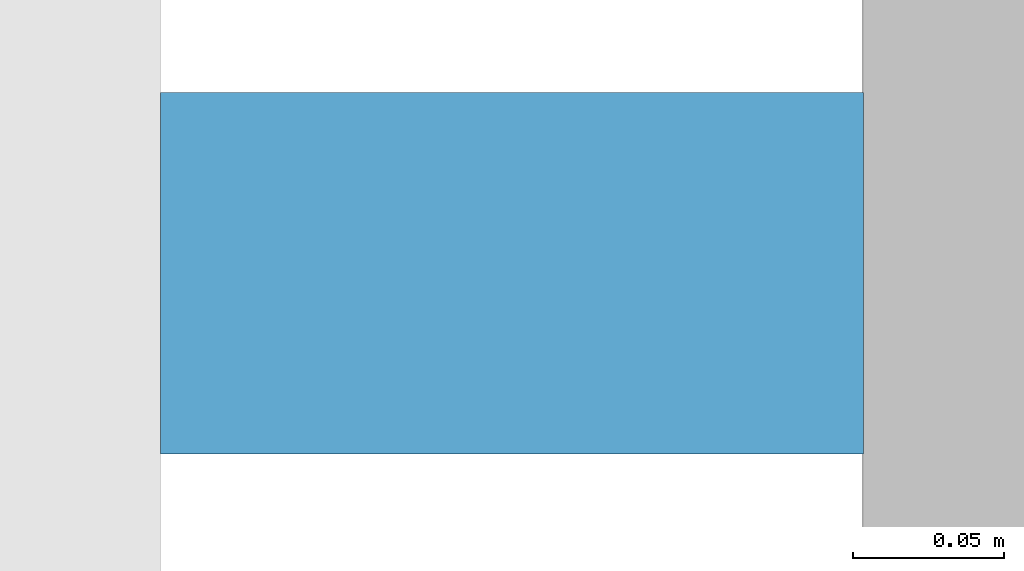
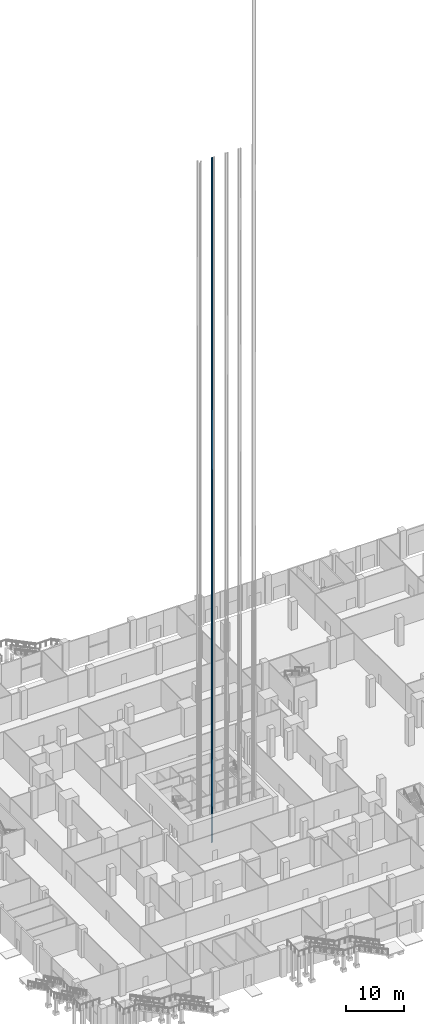
# One storey, part 43 of 68: 1 discrete accessory.
"""IFC4 building model written with IfcOpenShell, lengths in metres."""

from ifc_helpers import new_model, si_unit, direction, frame, origin, origin_2d, place, context, subcontext, project, spatial, rectangle, extrude, element, save


model = new_model("IFC4")

# Units and contexts
model_context = context("Model", 3, precision=1e-05, world=origin(), true_north=direction((0.0, 1.0)))
body_context = subcontext(model_context, "Body", "Model", "MODEL_VIEW")
ifc_project = project(units=[si_unit("LENGTHUNIT", "METRE"), si_unit("AREAUNIT", "SQUARE_METRE"), si_unit("VOLUMEUNIT", "CUBIC_METRE"), si_unit("PLANEANGLEUNIT", "RADIAN"), si_unit("MASSUNIT", "GRAM", prefix="KILO")], contexts=[model_context])

# Site, building, storey
site_placement = place(None, origin())
site = spatial("IfcSite", under=ifc_project, at=site_placement, CompositionType="ELEMENT")
building_placement = place(site_placement, origin())
building = spatial("IfcBuilding", under=site, at=building_placement, Name="Altepetl Exchange Towers", CompositionType="ELEMENT")
storey_placement = place(building_placement, origin())
storey = spatial("IfcBuildingStorey", under=building, at=storey_placement, Name="L00 Ground concourse", CompositionType="ELEMENT", Elevation=0.0)

# Discrete accessory
discrete_accessory_placement = place(storey_placement, frame((46.61669921875, 42.800048828125, -1.60009765625)))
element("IfcDiscreteAccessory", 1, at=discrete_accessory_placement, inside=storey, Name="Guide rail P2", ObjectType="GUIDE RAIL", PredefinedType="USERDEFINED", context=body_context, shape_type="SweptSolid", body=[
    extrude(rectangle(XDim=0.2333984375, YDim=0.1201171875, at=origin_2d()), origin(), (0.0, 0.0, 1.0), 144.85009765625),
])

save(model, "model.ifc")
